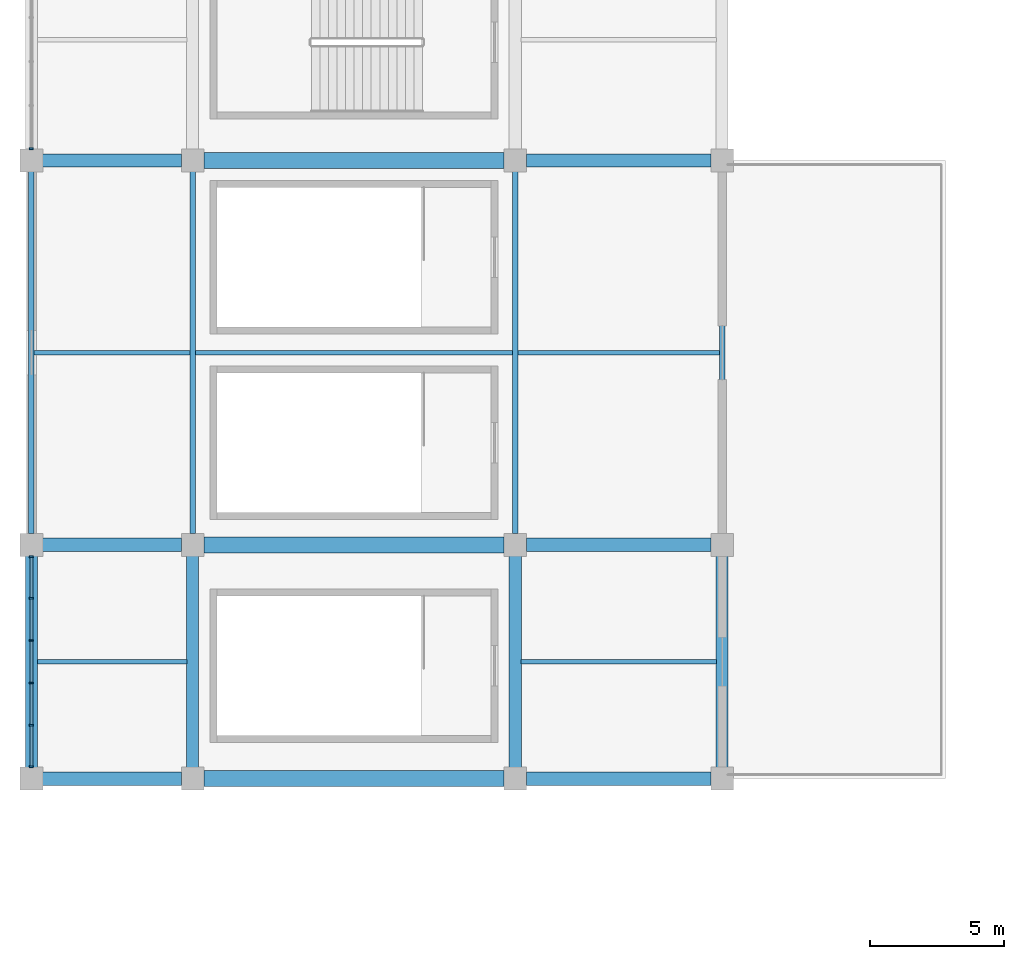
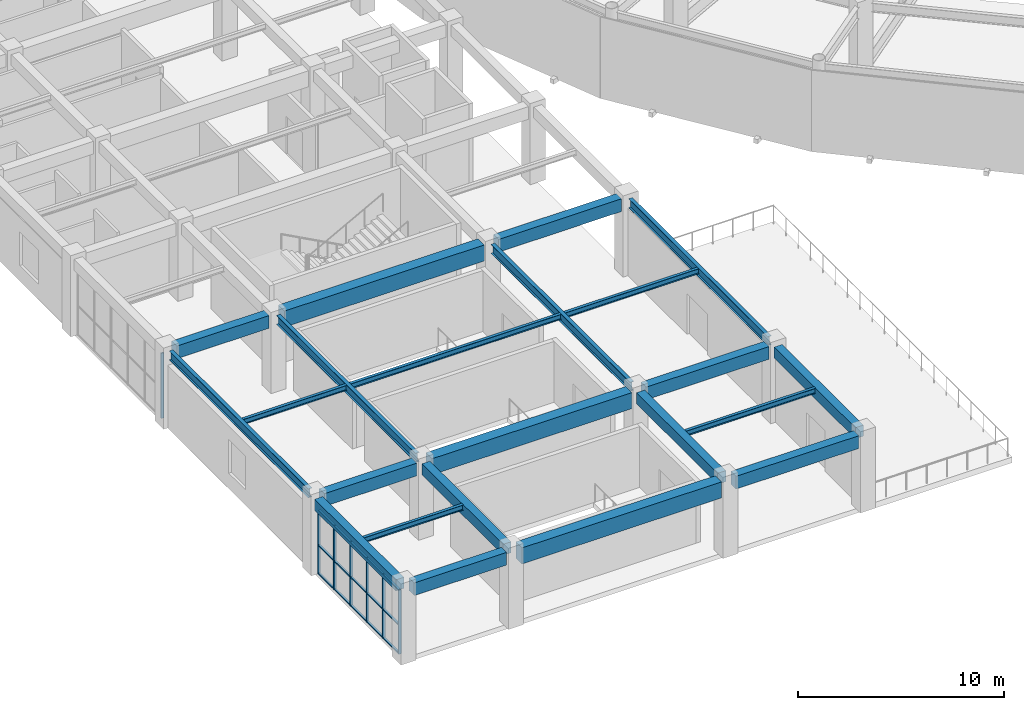
# One storey, part 21 of 122: 22 beams, 22 members, 2 elements without a shape of their own.
"""IFC4 building model written with IfcOpenShell, lengths in metres."""

from ifc_helpers import new_model, si_unit, direction, frame, origin, origin_2d, place, context, subcontext, project, spatial, rectangle, i_section, extrude, material, material_profile, profile_set, type_object, element, aggregate, save


model = new_model("IFC4")

# Units and contexts
model_context = context("Model", 3, precision=1e-05, world=origin(), true_north=direction((0.0, 1.0)))
body_context = subcontext(model_context, "Body", "Model", "MODEL_VIEW")
ifc_project = project(units=[si_unit("LENGTHUNIT", "METRE"), si_unit("AREAUNIT", "SQUARE_METRE"), si_unit("VOLUMEUNIT", "CUBIC_METRE"), si_unit("PLANEANGLEUNIT", "RADIAN"), si_unit("MASSUNIT", "GRAM", prefix="KILO")], contexts=[model_context])

# Site, building, storey
site_placement = place(None, origin())
site = spatial("IfcSite", under=ifc_project, at=site_placement, CompositionType="ELEMENT")
building_placement = place(site_placement, origin())
building = spatial("IfcBuilding", under=site, at=building_placement, Name="Cuetzalor Civic Arena", CompositionType="ELEMENT")
storey_placement = place(building_placement, frame((0.0, 0.0, 16.199951171875)))
storey = spatial("IfcBuildingStorey", under=building, at=storey_placement, Name="L03", CompositionType="ELEMENT", Elevation=16.199951171875)

# Beams
ifc_material_1 = material(Name="Concrete C40/50", Category="concrete")
ifc_material_profile_1 = material_profile(ifc_material_1, rectangle(XDim=0.5, YDim=0.75, at=origin_2d()), Name="RC 500x750")
ifc_profile_set_1 = profile_set([ifc_material_profile_1], Name="Concrete C40/50")
beam_type_1 = type_object("IfcBeamType", Name="ConcreteFrameBeam_500x750", PredefinedType="BEAM", material=ifc_profile_set_1)
beam_1_placement = place(storey_placement, frame((-81.5849609375, -57.0, 4.0849609375), z_axis=(1.0, 0.0, 0.0), x_axis=(0.0, 1.0, 0.0)))
element("IfcBeam", 1, at=beam_1_placement, inside=storey, type_object=beam_type_1, Name="Frame Girder V4W-L03-X0883", PredefinedType="BEAM", context=body_context, shape_type="SweptSolid", body=[
    extrude(rectangle(XDim=0.5, YDim=0.75, at=origin_2d()), origin(), (0.0, 0.0, 1.0), 5.169921875),
])
beam_2_placement = place(storey_placement, frame((-63.5849609375, -57.0, 4.0849609375), z_axis=(1.0, 0.0, 0.0), x_axis=(0.0, 1.0, 0.0)))
element("IfcBeam", 2, at=beam_2_placement, inside=storey, type_object=beam_type_1, Name="Frame Girder V4W-L03-X0885", PredefinedType="BEAM", context=body_context, shape_type="SweptSolid", body=[
    extrude(rectangle(XDim=0.5, YDim=0.75, at=origin_2d()), origin(), (0.0, 0.0, 1.0), 6.869873046875),
])
beam_3_placement = place(storey_placement, frame((-81.5849609375, -48.300048828125, 4.0849609375), z_axis=(1.0, 0.0, 0.0), x_axis=(0.0, 1.0, 0.0)))
element("IfcBeam", 3, at=beam_3_placement, inside=storey, type_object=beam_type_1, Name="Frame Girder V4W-L03-X0886", PredefinedType="BEAM", context=body_context, shape_type="SweptSolid", body=[
    extrude(rectangle(XDim=0.5, YDim=0.75, at=origin_2d()), origin(), (0.0, 0.0, 1.0), 5.169921875),
])
beam_4_placement = place(storey_placement, frame((-63.5849609375, -48.300048828125, 4.0849609375), z_axis=(1.0, 0.0, 0.0), x_axis=(0.0, 1.0, 0.0)))
element("IfcBeam", 4, at=beam_4_placement, inside=storey, type_object=beam_type_1, Name="Frame Girder V4W-L03-X0888", PredefinedType="BEAM", context=body_context, shape_type="SweptSolid", body=[
    extrude(rectangle(XDim=0.5, YDim=0.75, at=origin_2d()), origin(), (0.0, 0.0, 1.0), 6.869873046875),
])
beam_5_placement = place(storey_placement, frame((-81.5849609375, -34.0, 4.14501953125), z_axis=(1.0, 0.0, 0.0), x_axis=(0.0, 1.0, 0.0)))
element("IfcBeam", 5, at=beam_5_placement, inside=storey, type_object=beam_type_1, Name="Frame Girder V4W-L03-X0889", PredefinedType="BEAM", context=body_context, shape_type="SweptSolid", body=[
    extrude(rectangle(XDim=0.5, YDim=0.75, at=origin_2d()), origin(), (0.0, 0.0, 1.0), 5.169921875),
])
beam_6_placement = place(storey_placement, frame((-63.5849609375, -34.0, 4.14501953125), z_axis=(1.0, 0.0, 0.0), x_axis=(0.0, 1.0, 0.0)))
element("IfcBeam", 6, at=beam_6_placement, inside=storey, type_object=beam_type_1, Name="Frame Girder V4W-L03-X0891", PredefinedType="BEAM", context=body_context, shape_type="SweptSolid", body=[
    extrude(rectangle(XDim=0.5, YDim=0.75, at=origin_2d()), origin(), (0.0, 0.0, 1.0), 6.869873046875),
])
ifc_material_2 = material(Name="Concrete C40/50", Category="concrete")
ifc_material_profile_2 = material_profile(ifc_material_2, rectangle(XDim=0.60009765625, YDim=0.949951171875, at=origin_2d()), Name="RC 600x950")
ifc_profile_set_2 = profile_set([ifc_material_profile_2], Name="Concrete C40/50")
beam_type_2 = type_object("IfcBeamType", Name="ConcreteFrameBeam_600x950", PredefinedType="BEAM", material=ifc_profile_set_2)
for number, where, z_axis, x_axis, name in (
    (7, (-75.5849609375, -57.0, 3.985107421875), (1.0, 0.0, 0.0), (0.0, 1.0, 0.0), "Frame Girder V4W-L03-X0884"),
    (8, (-75.5849609375, -48.300048828125, 3.985107421875), (1.0, 0.0, 0.0), (0.0, 1.0, 0.0), "Frame Girder V4W-L03-X0887"),
    (9, (-75.5849609375, -34.0, 4.045166015625), (1.0, 0.0, 0.0), (0.0, 1.0, 0.0), "Frame Girder V4W-L03-X0890"),
):
    element("IfcBeam", number, at=place(storey_placement, frame(where, z_axis=z_axis, x_axis=x_axis)), inside=storey, type_object=beam_type_2, Name=name, PredefinedType="BEAM", context=body_context, shape_type="SweptSolid", body=[
        extrude(rectangle(XDim=0.60009765625, YDim=0.949951171875, at=origin_2d()), origin(), (0.0, 0.0, 1.0), 11.169921875),
    ])
ifc_material_3 = material(Name="Concrete C40/50", Category="concrete")
ifc_material_profile_3 = material_profile(ifc_material_3, rectangle(XDim=0.449951171875, YDim=0.64990234375, at=origin_2d()), Name="RC 450x650")
ifc_profile_set_3 = profile_set([ifc_material_profile_3], Name="Concrete C40/50")
beam_type_3 = type_object("IfcBeamType", Name="ConcreteTieBeam_450x650", PredefinedType="BEAM", material=ifc_profile_set_3)
for number, where, z_axis, x_axis, name in (
    (10, (-82.0, -56.5849609375, 4.135009765625), (0.0, 1.0, 0.0), (-1.0, 0.0, 0.0), "Frame Girder V4W-L03-Y0916"),
    (11, (-76.0, -56.5849609375, 4.135009765625), (0.0, 1.0, 0.0), (-1.0, 0.0, 0.0), "Frame Girder V4W-L03-Y0926"),
    (12, (-64.0, -56.5849609375, 4.135009765625), (0.0, 1.0, 0.0), (-1.0, 0.0, 0.0), "Frame Girder V4W-L03-Y0936"),
    (13, (-56.300048828125, -56.5849609375, 4.135009765625), (0.0, 1.0, 0.0), (-1.0, 0.0, 0.0), "Frame Girder V4W-L03-Y0946"),
):
    element("IfcBeam", number, at=place(storey_placement, frame(where, z_axis=z_axis, x_axis=x_axis)), inside=storey, type_object=beam_type_3, Name=name, PredefinedType="BEAM", context=body_context, shape_type="SweptSolid", body=[
        extrude(rectangle(XDim=0.449951171875, YDim=0.64990234375, at=origin_2d()), origin(), (0.0, 0.0, 1.0), 7.869873046875),
    ])

# Curtain wall, members
ifc_material_4 = material(Name="Anodised dark bronze aluminium and low-E solar glass", Category="aluminium")
curtain_wall_type_1 = type_object("IfcCurtainWallType", Name="UnitisedCW_7900x3800", PredefinedType="USERDEFINED", material=ifc_material_4)
curtain_wall_1_placement = place(storey_placement, origin())
curtain_wall_1 = element("IfcCurtainWall", 14, at=curtain_wall_1_placement, inside=storey, type_object=curtain_wall_type_1, Name="V4W Suite Viewing Curtain Wall L03-118", ObjectType="UNITISED CURTAIN WALL", PredefinedType="USERDEFINED")
ifc_material_5 = material(Name="Anodised dark bronze aluminium", Category="aluminium")
ifc_material_profile_4 = material_profile(ifc_material_5, rectangle(XDim=0.06494140625, YDim=0.14990234375, at=origin_2d()), Name="ALU MULLION 65x150")
ifc_profile_set_4 = profile_set([ifc_material_profile_4], Name="Anodised dark bronze aluminium")
member_type_1 = type_object("IfcMemberType", Name="CurtainWallMullion_60x150", PredefinedType="MULLION", material=ifc_profile_set_4)
member_1_placement = place(storey_placement, frame((-82.0, -56.560546875, 0.0), z_axis=(0.0, 0.0, 1.0), x_axis=(0.0, 1.0, 0.0)))
member_1 = element("IfcMember", 15, at=member_1_placement, type_object=member_type_1, Name="CW-44 mullion 1", PredefinedType="MULLION", context=body_context, shape_type="SweptSolid", body=[
    extrude(rectangle(XDim=0.06494140625, YDim=0.14990234375, at=origin_2d()), origin(), (0.0, 0.0, 1.0), 3.800048828125),
])
member_2_placement = place(storey_placement, frame((-82.0, -55.015869140625, 0.0), z_axis=(0.0, 0.0, 1.0), x_axis=(0.0, 1.0, 0.0)))
member_2 = element("IfcMember", 16, at=member_2_placement, type_object=member_type_1, Name="CW-44 mullion 2", PredefinedType="MULLION", context=body_context, shape_type="SweptSolid", body=[
    extrude(rectangle(XDim=0.06494140625, YDim=0.14990234375, at=origin_2d()), origin(), (0.0, 0.0, 1.0), 3.800048828125),
])
member_3_placement = place(storey_placement, frame((-82.0, -53.438720703125, 0.0), z_axis=(0.0, 0.0, 1.0), x_axis=(0.0, 1.0, 0.0)))
member_3 = element("IfcMember", 17, at=member_3_placement, type_object=member_type_1, Name="CW-44 mullion 3", PredefinedType="MULLION", context=body_context, shape_type="SweptSolid", body=[
    extrude(rectangle(XDim=0.06494140625, YDim=0.14990234375, at=origin_2d()), origin(), (0.0, 0.0, 1.0), 3.800048828125),
])
member_4_placement = place(storey_placement, frame((-82.0, -51.861328125, 0.0), z_axis=(0.0, 0.0, 1.0), x_axis=(0.0, 1.0, 0.0)))
member_4 = element("IfcMember", 18, at=member_4_placement, type_object=member_type_1, Name="CW-44 mullion 4", PredefinedType="MULLION", context=body_context, shape_type="SweptSolid", body=[
    extrude(rectangle(XDim=0.06494140625, YDim=0.14990234375, at=origin_2d()), origin(), (0.0, 0.0, 1.0), 3.800048828125),
])
member_5_placement = place(storey_placement, frame((-82.0, -50.2841796875, 0.0), z_axis=(0.0, 0.0, 1.0), x_axis=(0.0, 1.0, 0.0)))
member_5 = element("IfcMember", 19, at=member_5_placement, type_object=member_type_1, Name="CW-44 mullion 5", PredefinedType="MULLION", context=body_context, shape_type="SweptSolid", body=[
    extrude(rectangle(XDim=0.06494140625, YDim=0.14990234375, at=origin_2d()), origin(), (0.0, 0.0, 1.0), 3.800048828125),
])
member_6_placement = place(storey_placement, frame((-82.0, -48.739501953125, 0.0), z_axis=(0.0, 0.0, 1.0), x_axis=(0.0, 1.0, 0.0)))
member_6 = element("IfcMember", 20, at=member_6_placement, type_object=member_type_1, Name="CW-44 mullion 6", PredefinedType="MULLION", context=body_context, shape_type="SweptSolid", body=[
    extrude(rectangle(XDim=0.06494140625, YDim=0.14990234375, at=origin_2d()), origin(), (0.0, 0.0, 1.0), 3.800048828125),
])

# Curtain wall, member
ifc_material_6 = material(Name="Anodised dark bronze aluminium and low-E solar glass", Category="aluminium")
curtain_wall_type_2 = type_object("IfcCurtainWallType", Name="UnitisedCW_8200x3850", PredefinedType="USERDEFINED", material=ifc_material_6)
curtain_wall_2_placement = place(storey_placement, origin())
curtain_wall_2 = element("IfcCurtainWall", 21, at=curtain_wall_2_placement, inside=storey, type_object=curtain_wall_type_2, Name="V4W Suite Viewing Curtain Wall L03-119", ObjectType="UNITISED CURTAIN WALL", PredefinedType="USERDEFINED")
member_7_placement = place(storey_placement, frame((-82.0, -33.560546875, 0.0), z_axis=(0.0, 0.0, 1.0), x_axis=(0.0, 1.0, 0.0)))
member_7 = element("IfcMember", 22, at=member_7_placement, type_object=member_type_1, Name="CW-45 mullion 1", PredefinedType="MULLION", context=body_context, shape_type="SweptSolid", body=[
    extrude(rectangle(XDim=0.06494140625, YDim=0.14990234375, at=origin_2d()), origin(), (0.0, 0.0, 1.0), 3.860107421875),
])
aggregate(curtain_wall_2, [member_7])

# Member
ifc_material_7 = material(Name="Anodised dark bronze aluminium", Category="aluminium")
ifc_material_profile_5 = material_profile(ifc_material_7, rectangle(XDim=0.1201171875, YDim=0.06494140625, at=origin_2d()), Name="ALU TRANSOM 65x120")
ifc_profile_set_5 = profile_set([ifc_material_profile_5], Name="Anodised dark bronze aluminium")
member_type_2 = type_object("IfcMemberType", Name="CurtainWallTransom_60x120", PredefinedType="USERDEFINED", material=ifc_profile_set_5)
member_8_placement = place(storey_placement, frame((-82.0, -56.528076171875, 0.032470703125), z_axis=(0.0, 1.0, 0.0), x_axis=(-1.0, 0.0, 0.0)))
member_8 = element("IfcMember", 23, at=member_8_placement, type_object=member_type_2, Name="CW-44 transom 1.1", ObjectType="TRANSOM", PredefinedType="USERDEFINED", context=body_context, shape_type="SweptSolid", body=[
    extrude(rectangle(XDim=0.1201171875, YDim=0.06494140625, at=origin_2d()), origin(), (0.0, 0.0, 1.0), 1.479736328125),
])

member_9_placement = place(storey_placement, frame((-82.0, -56.528076171875, 1.7099609375), z_axis=(0.0, 1.0, 0.0), x_axis=(-1.0, 0.0, 0.0)))
member_9 = element("IfcMember", 24, at=member_9_placement, type_object=member_type_2, Name="CW-44 transom 1.2", ObjectType="TRANSOM", PredefinedType="USERDEFINED", context=body_context, shape_type="SweptSolid", body=[
    extrude(rectangle(XDim=0.1201171875, YDim=0.06494140625, at=origin_2d()), origin(), (0.0, 0.0, 1.0), 1.479736328125),
])

member_10_placement = place(storey_placement, frame((-82.0, -56.528076171875, 3.767578125), z_axis=(0.0, 1.0, 0.0), x_axis=(-1.0, 0.0, 0.0)))
member_10 = element("IfcMember", 25, at=member_10_placement, type_object=member_type_2, Name="CW-44 transom 1.3", ObjectType="TRANSOM", PredefinedType="USERDEFINED", context=body_context, shape_type="SweptSolid", body=[
    extrude(rectangle(XDim=0.1201171875, YDim=0.06494140625, at=origin_2d()), origin(), (0.0, 0.0, 1.0), 1.479736328125),
])

member_11_placement = place(storey_placement, frame((-82.0, -54.9833984375, 0.032470703125), z_axis=(0.0, 1.0, 0.0), x_axis=(-1.0, 0.0, 0.0)))
member_11 = element("IfcMember", 26, at=member_11_placement, type_object=member_type_2, Name="CW-44 transom 2.1", ObjectType="TRANSOM", PredefinedType="USERDEFINED", context=body_context, shape_type="SweptSolid", body=[
    extrude(rectangle(XDim=0.1201171875, YDim=0.06494140625, at=origin_2d()), origin(), (0.0, 0.0, 1.0), 1.51220703125),
])

member_12_placement = place(storey_placement, frame((-82.0, -54.9833984375, 1.7099609375), z_axis=(0.0, 1.0, 0.0), x_axis=(-1.0, 0.0, 0.0)))
member_12 = element("IfcMember", 27, at=member_12_placement, type_object=member_type_2, Name="CW-44 transom 2.2", ObjectType="TRANSOM", PredefinedType="USERDEFINED", context=body_context, shape_type="SweptSolid", body=[
    extrude(rectangle(XDim=0.1201171875, YDim=0.06494140625, at=origin_2d()), origin(), (0.0, 0.0, 1.0), 1.51220703125),
])

member_13_placement = place(storey_placement, frame((-82.0, -54.9833984375, 3.767578125), z_axis=(0.0, 1.0, 0.0), x_axis=(-1.0, 0.0, 0.0)))
member_13 = element("IfcMember", 28, at=member_13_placement, type_object=member_type_2, Name="CW-44 transom 2.3", ObjectType="TRANSOM", PredefinedType="USERDEFINED", context=body_context, shape_type="SweptSolid", body=[
    extrude(rectangle(XDim=0.1201171875, YDim=0.06494140625, at=origin_2d()), origin(), (0.0, 0.0, 1.0), 1.51220703125),
])

member_14_placement = place(storey_placement, frame((-82.0, -53.406005859375, 0.032470703125), z_axis=(0.0, 1.0, 0.0), x_axis=(-1.0, 0.0, 0.0)))
member_14 = element("IfcMember", 29, at=member_14_placement, type_object=member_type_2, Name="CW-44 transom 3.1", ObjectType="TRANSOM", PredefinedType="USERDEFINED", context=body_context, shape_type="SweptSolid", body=[
    extrude(rectangle(XDim=0.1201171875, YDim=0.06494140625, at=origin_2d()), origin(), (0.0, 0.0, 1.0), 1.51220703125),
])

member_15_placement = place(storey_placement, frame((-82.0, -53.406005859375, 1.7099609375), z_axis=(0.0, 1.0, 0.0), x_axis=(-1.0, 0.0, 0.0)))
member_15 = element("IfcMember", 30, at=member_15_placement, type_object=member_type_2, Name="CW-44 transom 3.2", ObjectType="TRANSOM", PredefinedType="USERDEFINED", context=body_context, shape_type="SweptSolid", body=[
    extrude(rectangle(XDim=0.1201171875, YDim=0.06494140625, at=origin_2d()), origin(), (0.0, 0.0, 1.0), 1.51220703125),
])

member_16_placement = place(storey_placement, frame((-82.0, -53.406005859375, 3.767578125), z_axis=(0.0, 1.0, 0.0), x_axis=(-1.0, 0.0, 0.0)))
member_16 = element("IfcMember", 31, at=member_16_placement, type_object=member_type_2, Name="CW-44 transom 3.3", ObjectType="TRANSOM", PredefinedType="USERDEFINED", context=body_context, shape_type="SweptSolid", body=[
    extrude(rectangle(XDim=0.1201171875, YDim=0.06494140625, at=origin_2d()), origin(), (0.0, 0.0, 1.0), 1.51220703125),
])

member_17_placement = place(storey_placement, frame((-82.0, -51.828857421875, 0.032470703125), z_axis=(0.0, 1.0, 0.0), x_axis=(-1.0, 0.0, 0.0)))
member_17 = element("IfcMember", 32, at=member_17_placement, type_object=member_type_2, Name="CW-44 transom 4.1", ObjectType="TRANSOM", PredefinedType="USERDEFINED", context=body_context, shape_type="SweptSolid", body=[
    extrude(rectangle(XDim=0.1201171875, YDim=0.06494140625, at=origin_2d()), origin(), (0.0, 0.0, 1.0), 1.51220703125),
])

member_18_placement = place(storey_placement, frame((-82.0, -51.828857421875, 1.7099609375), z_axis=(0.0, 1.0, 0.0), x_axis=(-1.0, 0.0, 0.0)))
member_18 = element("IfcMember", 33, at=member_18_placement, type_object=member_type_2, Name="CW-44 transom 4.2", ObjectType="TRANSOM", PredefinedType="USERDEFINED", context=body_context, shape_type="SweptSolid", body=[
    extrude(rectangle(XDim=0.1201171875, YDim=0.06494140625, at=origin_2d()), origin(), (0.0, 0.0, 1.0), 1.51220703125),
])

member_19_placement = place(storey_placement, frame((-82.0, -51.828857421875, 3.767578125), z_axis=(0.0, 1.0, 0.0), x_axis=(-1.0, 0.0, 0.0)))
member_19 = element("IfcMember", 34, at=member_19_placement, type_object=member_type_2, Name="CW-44 transom 4.3", ObjectType="TRANSOM", PredefinedType="USERDEFINED", context=body_context, shape_type="SweptSolid", body=[
    extrude(rectangle(XDim=0.1201171875, YDim=0.06494140625, at=origin_2d()), origin(), (0.0, 0.0, 1.0), 1.51220703125),
])

member_20_placement = place(storey_placement, frame((-82.0, -50.251708984375, 0.032470703125), z_axis=(0.0, 1.0, 0.0), x_axis=(-1.0, 0.0, 0.0)))
member_20 = element("IfcMember", 35, at=member_20_placement, type_object=member_type_2, Name="CW-44 transom 5.1", ObjectType="TRANSOM", PredefinedType="USERDEFINED", context=body_context, shape_type="SweptSolid", body=[
    extrude(rectangle(XDim=0.1201171875, YDim=0.06494140625, at=origin_2d()), origin(), (0.0, 0.0, 1.0), 1.479736328125),
])

member_21_placement = place(storey_placement, frame((-82.0, -50.251708984375, 1.7099609375), z_axis=(0.0, 1.0, 0.0), x_axis=(-1.0, 0.0, 0.0)))
member_21 = element("IfcMember", 36, at=member_21_placement, type_object=member_type_2, Name="CW-44 transom 5.2", ObjectType="TRANSOM", PredefinedType="USERDEFINED", context=body_context, shape_type="SweptSolid", body=[
    extrude(rectangle(XDim=0.1201171875, YDim=0.06494140625, at=origin_2d()), origin(), (0.0, 0.0, 1.0), 1.479736328125),
])

member_22_placement = place(storey_placement, frame((-82.0, -50.251708984375, 3.767578125), z_axis=(0.0, 1.0, 0.0), x_axis=(-1.0, 0.0, 0.0)))
member_22 = element("IfcMember", 37, at=member_22_placement, type_object=member_type_2, Name="CW-44 transom 5.3", ObjectType="TRANSOM", PredefinedType="USERDEFINED", context=body_context, shape_type="SweptSolid", body=[
    extrude(rectangle(XDim=0.1201171875, YDim=0.06494140625, at=origin_2d()), origin(), (0.0, 0.0, 1.0), 1.479736328125),
])

aggregate(curtain_wall_1, [member_1, member_2, member_3, member_4, member_5, member_6, member_8, member_9, member_10, member_11, member_12, member_13, member_14, member_15, member_16, member_17, member_18, member_19, member_20, member_21, member_22])

# Beams
ifc_material_8 = material(Name="Steel S355", Category="steel")
ifc_material_profile_6 = material_profile(ifc_material_8, i_section(OverallWidth=0.166015625, OverallDepth=0.31298828125, WebThickness=0.006591796875, FlangeThickness=0.01123046875, at=origin_2d()), Name="W310x45")
ifc_profile_set_6 = profile_set([ifc_material_profile_6], Name="Steel S355")
beam_type_4 = type_object("IfcBeamType", Name="SecondaryRoofJoist_W310", PredefinedType="JOIST", material=ifc_profile_set_6)
beam_7_placement = place(storey_placement, frame((-81.782958984375, -52.64990234375, 4.303466796875), z_axis=(1.0, 0.0, 0.0), x_axis=(0.0, 1.0, 0.0)))
element("IfcBeam", 38, at=beam_7_placement, inside=storey, type_object=beam_type_4, Name="Secondary Floor Joist V4W-L03-0267", PredefinedType="JOIST", context=body_context, shape_type="SweptSolid", body=[
    extrude(i_section(OverallWidth=0.166015625, OverallDepth=0.31298828125, WebThickness=0.006591796875, FlangeThickness=0.01123046875, at=origin_2d()), origin(), (0.0, 0.0, 1.0), 5.56591796875),
])
beam_8_placement = place(storey_placement, frame((-81.903564453125, -41.14990234375, 4.363525390625), z_axis=(1.0, 0.0, 0.0), x_axis=(0.0, 1.0, 0.0)))
element("IfcBeam", 39, at=beam_8_placement, inside=storey, type_object=beam_type_4, Name="Secondary Floor Joist V4W-L03-0268", PredefinedType="JOIST", context=body_context, shape_type="SweptSolid", body=[
    extrude(i_section(OverallWidth=0.166015625, OverallDepth=0.31298828125, WebThickness=0.006591796875, FlangeThickness=0.01123046875, at=origin_2d()), origin(), (0.0, 0.0, 1.0), 5.80712890625),
])
beam_9_placement = place(storey_placement, frame((-75.903564453125, -41.14990234375, 4.363525390625), z_axis=(1.0, 0.0, 0.0), x_axis=(0.0, 1.0, 0.0)))
element("IfcBeam", 40, at=beam_9_placement, inside=storey, type_object=beam_type_4, Name="Secondary Floor Joist V4W-L03-0277", PredefinedType="JOIST", context=body_context, shape_type="SweptSolid", body=[
    extrude(i_section(OverallWidth=0.166015625, OverallDepth=0.31298828125, WebThickness=0.006591796875, FlangeThickness=0.01123046875, at=origin_2d()), origin(), (0.0, 0.0, 1.0), 11.80712890625),
])
beam_10_placement = place(storey_placement, frame((-63.782958984375, -52.64990234375, 4.303466796875), z_axis=(1.0, 0.0, 0.0), x_axis=(0.0, 1.0, 0.0)))
element("IfcBeam", 41, at=beam_10_placement, inside=storey, type_object=beam_type_4, Name="Secondary Floor Joist V4W-L03-0284", PredefinedType="JOIST", context=body_context, shape_type="SweptSolid", body=[
    extrude(i_section(OverallWidth=0.166015625, OverallDepth=0.31298828125, WebThickness=0.006591796875, FlangeThickness=0.01123046875, at=origin_2d()), origin(), (0.0, 0.0, 1.0), 7.265869140625),
])
beam_11_placement = place(storey_placement, frame((-63.903564453125, -41.14990234375, 4.363525390625), z_axis=(1.0, 0.0, 0.0), x_axis=(0.0, 1.0, 0.0)))
element("IfcBeam", 42, at=beam_11_placement, inside=storey, type_object=beam_type_4, Name="Secondary Floor Joist V4W-L03-0285", PredefinedType="JOIST", context=body_context, shape_type="SweptSolid", body=[
    extrude(i_section(OverallWidth=0.166015625, OverallDepth=0.31298828125, WebThickness=0.006591796875, FlangeThickness=0.01123046875, at=origin_2d()), origin(), (0.0, 0.0, 1.0), 7.507080078125),
])
ifc_material_9 = material(Name="Steel S355", Category="steel")
ifc_material_profile_7 = material_profile(ifc_material_9, i_section(OverallWidth=0.208984375, OverallDepth=0.532958984375, WebThickness=0.01025390625, FlangeThickness=0.015625, at=origin_2d()), Name="W530x92")
ifc_profile_set_7 = profile_set([ifc_material_profile_7], Name="Steel S355")
beam_type_5 = type_object("IfcBeamType", Name="SteelCollarGirder_W530", PredefinedType="BEAM", material=ifc_profile_set_7)
for number, where, z_axis, x_axis, name in (
    (43, (-82.0, -47.885009765625, 4.253662109375), (0.0, 1.0, 0.0), (-1.0, 0.0, 0.0), "Frame Girder V4W-L03-Y0917"),
    (44, (-76.0, -47.885009765625, 4.253662109375), (0.0, 1.0, 0.0), (-1.0, 0.0, 0.0), "Frame Girder V4W-L03-Y0927"),
    (45, (-64.0, -47.885009765625, 4.253662109375), (0.0, 1.0, 0.0), (-1.0, 0.0, 0.0), "Frame Girder V4W-L03-Y0937"),
    (46, (-56.300048828125, -47.885009765625, 4.253662109375), (0.0, 1.0, 0.0), (-1.0, 0.0, 0.0), "Frame Girder V4W-L03-Y0947"),
):
    element("IfcBeam", number, at=place(storey_placement, frame(where, z_axis=z_axis, x_axis=x_axis)), inside=storey, type_object=beam_type_5, Name=name, PredefinedType="BEAM", context=body_context, shape_type="SweptSolid", body=[
        extrude(i_section(OverallWidth=0.208984375, OverallDepth=0.532958984375, WebThickness=0.01025390625, FlangeThickness=0.015625, at=origin_2d()), origin(), (0.0, 0.0, 1.0), 13.469970703125),
    ])

save(model, "model.ifc")
